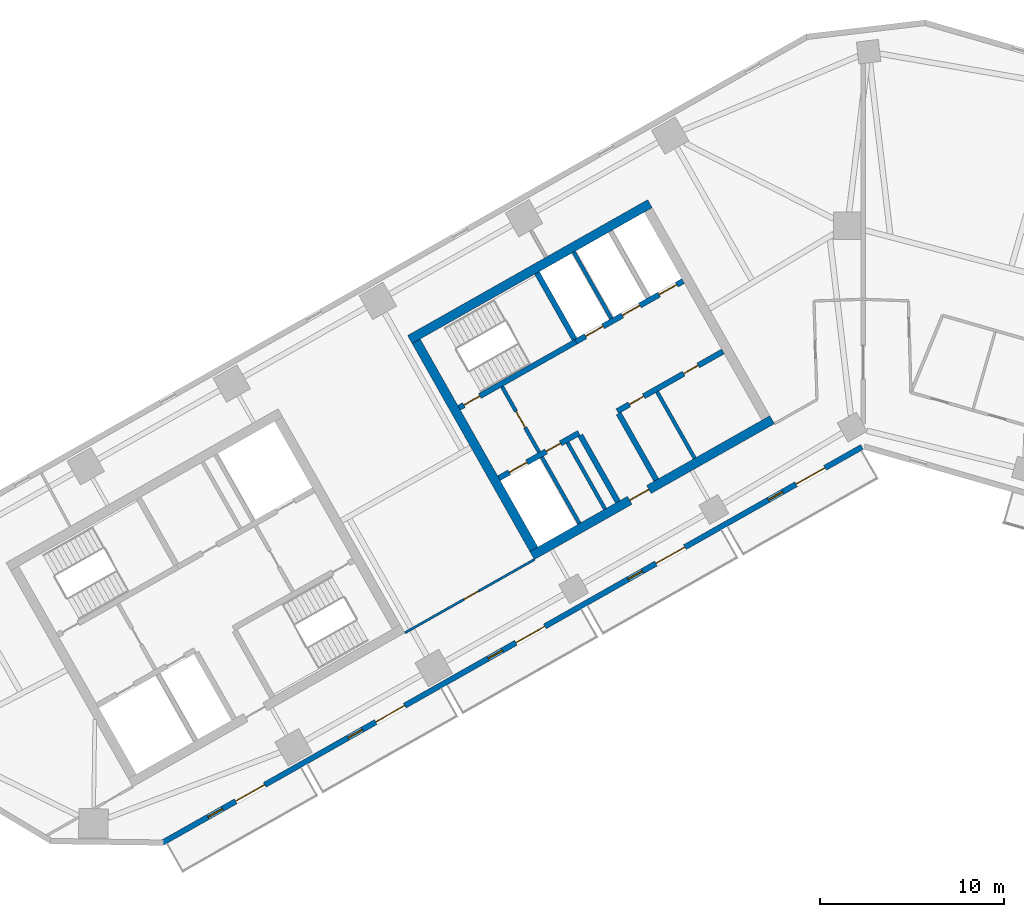
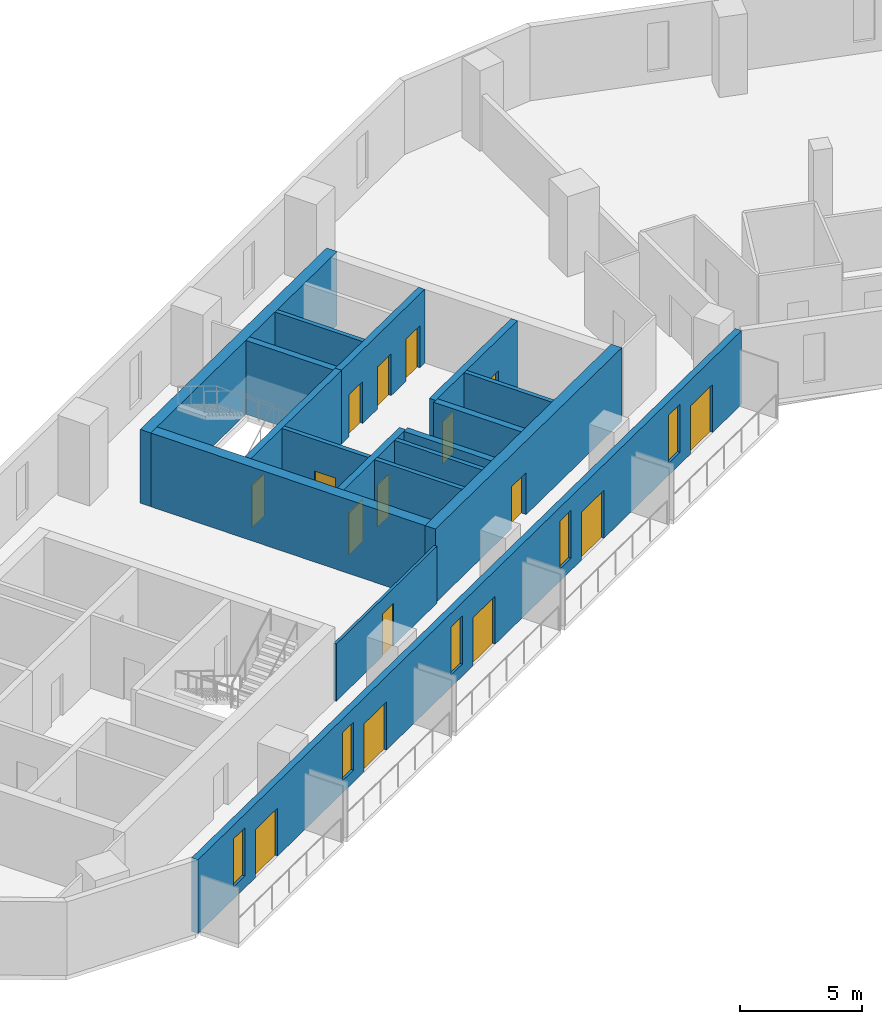
# One storey, part 4 of 9: 17 walls, 16 doors, 5 windows, 21 openings.
"""IFC4 building model written with IfcOpenShell, lengths in metres."""

from ifc_helpers import new_model, si_unit, direction, frame, frame_2d, origin, place, context, subcontext, project, spatial, rectangle, extrude, material, layer, layer_set, type_object, element, fill, save


model = new_model("IFC4")

# Units and contexts
model_context = context("Model", 3, precision=1e-05, world=origin(), true_north=direction((0.0, 1.0)))
body_context = subcontext(model_context, "Body", "Model", "MODEL_VIEW")
ifc_project = project(units=[si_unit("LENGTHUNIT", "METRE"), si_unit("AREAUNIT", "SQUARE_METRE"), si_unit("VOLUMEUNIT", "CUBIC_METRE"), si_unit("PLANEANGLEUNIT", "RADIAN"), si_unit("MASSUNIT", "GRAM", prefix="KILO")], contexts=[model_context])

# Site, building, storey
site_placement = place(None, origin())
site = spatial("IfcSite", under=ifc_project, at=site_placement, CompositionType="ELEMENT")
building_placement = place(site_placement, origin())
building = spatial("IfcBuilding", under=site, at=building_placement, Name="Binnacle Exchange Tower", CompositionType="ELEMENT")
storey_placement = place(building_placement, frame((0.0, 0.0, 166.89990234375)))
storey = spatial("IfcBuildingStorey", under=building, at=storey_placement, Name="L35", CompositionType="ELEMENT", Elevation=166.89990234375)

# Wall
ifc_material_1 = material(Name="Gypsum partition fire rated")
ifc_layer_1 = layer(ifc_material_1, 0.199951171875)
ifc_layer_set_1 = layer_set([ifc_layer_1], Name="Core partition 200")
wall_type_1 = type_object("IfcWallType", Name="Core partition 200", PredefinedType="PARTITIONING", material=ifc_layer_set_1)
wall_1_placement = place(storey_placement, frame((-11.201904296875, 50.96240234375, 0.0), z_axis=(0.0, 0.0, 1.0), x_axis=(0.492441017253, -0.870345818929, 0.0)))
element("IfcWall", 1, at=wall_1_placement, inside=storey, type_object=wall_type_1, Name="Core wall CRWC19", PredefinedType="PARTITIONING", context=body_context, shape_type="SweptSolid", body=[
    extrude(rectangle(XDim=4.150146484375, YDim=0.199951171875, at=frame_2d((2.0751953125, 0.0))), origin(), (0.0, 0.0, 1.0), 3.68017578125),
])

# Wall, openings, doors
ifc_material_2 = material(Name="Concrete C70/85", Category="concrete")
ifc_layer_2 = layer(ifc_material_2, 0.300048828125)
ifc_layer_set_2 = layer_set([ifc_layer_2], Name="Core wall - front 300")
wall_type_2 = type_object("IfcWallType", Name="Core wall - front 300", PredefinedType="SOLIDWALL", material=ifc_layer_set_2)
wall_2_placement = place(storey_placement, frame((-19.80517578125, 46.26708984375, 0.0), z_axis=(0.0, 0.0, 1.0), x_axis=(0.870353598469, 0.492427267353, 0.0)))
wall_2 = element("IfcWall", 2, at=wall_2_placement, inside=storey, type_object=wall_type_2, Name="Core wall CRWC2", PredefinedType="SOLIDWALL", context=body_context, shape_type="SweptSolid", body=[
    extrude(rectangle(XDim=5.0, YDim=0.300048828125, at=frame_2d((2.5, 0.0))), origin(), (0.0, 0.0, 1.0), 3.68017578125),
])
opening_1_placement = place(wall_2_placement, frame((0.64990234375, 0.0, 0.0)))
opening_1 = element("IfcOpeningElement", 3, at=opening_1_placement, cuts=wall_2, Name="Opening LD14", PredefinedType="OPENING", context=body_context, shape_type="SweptSolid", body=[
    extrude(rectangle(XDim=1.10009765625, YDim=2.10009765625, at=frame_2d((0.550048828125, 1.050048828125))), frame((0.0, 0.159912109375, 0.0), z_axis=(0.0, -1.0, 0.0), x_axis=(1.0, 0.0, 0.0)), (0.0, 0.0, 1.0), 0.320068359375),
])
opening_2_placement = place(wall_2_placement, frame((2.949951171875, 0.0, 0.0)))
opening_2 = element("IfcOpeningElement", 4, at=opening_2_placement, cuts=wall_2, Name="Opening DC14", PredefinedType="OPENING", context=body_context, shape_type="SweptSolid", body=[
    extrude(rectangle(XDim=0.89990234375, YDim=2.10009765625, at=frame_2d((0.449951171875, 1.050048828125))), frame((0.0, 0.159912109375, 0.0), z_axis=(0.0, -1.0, 0.0), x_axis=(1.0, 0.0, 0.0)), (0.0, 0.0, 1.0), 0.320068359375),
])
ifc_material_3 = material(Name="Steel door leaf", Category="steel")
door_type_1 = type_object("IfcDoorType", Name="Fire door - lift landing 1100", OperationType="NOTDEFINED", PredefinedType="DOOR", material=ifc_material_3)
door_1_placement = place(opening_1_placement, origin())
door_1 = element("IfcDoor", 5, at=door_1_placement, inside=storey, type_object=door_type_1, Name="Landing door LD14 L35", OperationType="DOUBLE_DOOR_SLIDING", OverallHeight=2.10009765625, OverallWidth=1.10009765625, PredefinedType="DOOR", context=body_context, shape_type="SweptSolid", body=[
    extrude(rectangle(XDim=1.10009765625, YDim=2.10009765625, at=frame_2d((0.550048828125, 1.050048828125))), frame((0.0, 0.02490234375, 0.0), z_axis=(0.0, -1.0, 0.0), x_axis=(1.0, 0.0, 0.0)), (0.0, 0.0, 1.0), 0.050048828125),
])
fill(opening_1, door_1)
door_type_2 = type_object("IfcDoorType", Name="Fire door 900", OperationType="NOTDEFINED", PredefinedType="DOOR", material=ifc_material_3)
door_2_placement = place(opening_2_placement, frame((0.89990234375, 0.0, 0.0), z_axis=(0.0, 0.0, 1.0), x_axis=(-1.0, 0.0, 0.0)))
door_2 = element("IfcDoor", 6, at=door_2_placement, inside=storey, type_object=door_type_2, Name="Core room door CLEANERS STORE", OperationType="SINGLE_SWING_LEFT", OverallHeight=2.10009765625, OverallWidth=0.89990234375, PredefinedType="DOOR", context=body_context, shape_type="SweptSolid", body=[
    extrude(rectangle(XDim=0.89990234375, YDim=2.10009765625, at=frame_2d((0.449951171875, 1.050048828125))), frame((0.0, 0.02490234375, 0.0), z_axis=(0.0, -1.0, 0.0), x_axis=(1.0, 0.0, 0.0)), (0.0, 0.0, 1.0), 0.050048828125),
])
fill(opening_2, door_2)

wall_3_placement = place(storey_placement, frame((-13.364501953125, 49.910888671875, 0.0), z_axis=(0.0, 0.0, 1.0), x_axis=(0.870356769198, 0.492421663121, 0.0)))
wall_3 = element("IfcWall", 7, at=wall_3_placement, inside=storey, type_object=wall_type_2, Name="Core wall CRWC3", PredefinedType="SOLIDWALL", context=body_context, shape_type="SweptSolid", body=[
    extrude(rectangle(XDim=6.60009765625, YDim=0.300048828125, at=frame_2d((3.300048828125, 0.0))), origin(), (0.0, 0.0, 1.0), 3.68017578125),
])
opening_3_placement = place(wall_3_placement, frame((0.75, 0.0, 0.0)))
opening_3 = element("IfcOpeningElement", 8, at=opening_3_placement, cuts=wall_3, Name="Opening DC18", PredefinedType="OPENING", context=body_context, shape_type="SweptSolid", body=[
    extrude(rectangle(XDim=0.89990234375, YDim=2.10009765625, at=frame_2d((0.449951171875, 1.050048828125))), frame((0.0, 0.159912109375, 0.0), z_axis=(0.0, -1.0, 0.0), x_axis=(1.0, 0.0, 0.0)), (0.0, 0.0, 1.0), 0.320068359375),
])
opening_4_placement = place(wall_3_placement, frame((4.14990234375, 0.0, 0.0)))
opening_4 = element("IfcOpeningElement", 9, at=opening_4_placement, cuts=wall_3, Name="Opening DC19", PredefinedType="OPENING", context=body_context, shape_type="SweptSolid", body=[
    extrude(rectangle(XDim=0.89990234375, YDim=2.10009765625, at=frame_2d((0.449951171875, 1.050048828125))), frame((0.0, 0.159912109375, 0.0), z_axis=(0.0, -1.0, 0.0), x_axis=(1.0, 0.0, 0.0)), (0.0, 0.0, 1.0), 0.320068359375),
])
door_3_placement = place(opening_3_placement, frame((0.89990234375, 0.0, 0.0), z_axis=(0.0, 0.0, 1.0), x_axis=(-1.0, 0.0, 0.0)))
door_3 = element("IfcDoor", 10, at=door_3_placement, inside=storey, type_object=door_type_2, Name="Core room door IT STORE", OperationType="SINGLE_SWING_RIGHT", OverallHeight=2.10009765625, OverallWidth=0.89990234375, PredefinedType="DOOR", context=body_context, shape_type="SweptSolid", body=[
    extrude(rectangle(XDim=0.89990234375, YDim=2.10009765625, at=frame_2d((0.449951171875, 1.050048828125))), frame((0.0, 0.02490234375, 0.0), z_axis=(0.0, -1.0, 0.0), x_axis=(1.0, 0.0, 0.0)), (0.0, 0.0, 1.0), 0.050048828125),
])
fill(opening_3, door_3)
door_4_placement = place(opening_4_placement, frame((0.89990234375, 0.0, 0.0), z_axis=(0.0, 0.0, 1.0), x_axis=(-1.0, 0.0, 0.0)))
door_4 = element("IfcDoor", 11, at=door_4_placement, inside=storey, type_object=door_type_2, Name="Core room door TELECOM RISER ROOM", OperationType="SINGLE_SWING_LEFT", OverallHeight=2.10009765625, OverallWidth=0.89990234375, PredefinedType="DOOR", context=body_context, shape_type="SweptSolid", body=[
    extrude(rectangle(XDim=0.89990234375, YDim=2.10009765625, at=frame_2d((0.449951171875, 1.050048828125))), frame((0.0, 0.02490234375, 0.0), z_axis=(0.0, -1.0, 0.0), x_axis=(1.0, 0.0, 0.0)), (0.0, 0.0, 1.0), 0.050048828125),
])
fill(opening_4, door_4)

wall_4_placement = place(storey_placement, frame((-15.6181640625, 53.69140625, 0.0), z_axis=(0.0, 0.0, 1.0), x_axis=(0.870363236066, 0.492410232738, 0.0)))
wall_4 = element("IfcWall", 12, at=wall_4_placement, inside=storey, type_object=wall_type_2, Name="Core wall CRWC5", PredefinedType="SOLIDWALL", context=body_context, shape_type="SweptSolid", body=[
    extrude(rectangle(XDim=6.699951171875, YDim=0.300048828125, at=frame_2d((3.35009765625, 0.0))), origin(), (0.0, 0.0, 1.0), 3.68017578125),
])
opening_5_placement = place(wall_4_placement, frame((0.60009765625, 0.0, 0.0)))
opening_5 = element("IfcOpeningElement", 13, at=opening_5_placement, cuts=wall_4, Name="Opening LD5", PredefinedType="OPENING", context=body_context, shape_type="SweptSolid", body=[
    extrude(rectangle(XDim=1.10009765625, YDim=2.10009765625, at=frame_2d((0.550048828125, 1.050048828125))), frame((0.0, 0.159912109375, 0.0), z_axis=(0.0, -1.0, 0.0), x_axis=(1.0, 0.0, 0.0)), (0.0, 0.0, 1.0), 0.320068359375),
])
opening_6_placement = place(wall_4_placement, frame((2.89990234375, 0.0, 0.0)))
opening_6 = element("IfcOpeningElement", 14, at=opening_6_placement, cuts=wall_4, Name="Opening LD6", PredefinedType="OPENING", context=body_context, shape_type="SweptSolid", body=[
    extrude(rectangle(XDim=1.10009765625, YDim=2.10009765625, at=frame_2d((0.550048828125, 1.050048828125))), frame((0.0, 0.159912109375, 0.0), z_axis=(0.0, -1.0, 0.0), x_axis=(1.0, 0.0, 0.0)), (0.0, 0.0, 1.0), 0.320068359375),
])
opening_7_placement = place(wall_4_placement, frame((5.199951171875, 0.0, 0.0)))
opening_7 = element("IfcOpeningElement", 15, at=opening_7_placement, cuts=wall_4, Name="Opening LD7", PredefinedType="OPENING", context=body_context, shape_type="SweptSolid", body=[
    extrude(rectangle(XDim=1.10009765625, YDim=2.10009765625, at=frame_2d((0.550048828125, 1.050048828125))), frame((0.0, 0.159912109375, 0.0), z_axis=(0.0, -1.0, 0.0), x_axis=(1.0, 0.0, 0.0)), (0.0, 0.0, 1.0), 0.320068359375),
])
door_5_placement = place(opening_5_placement, origin())
door_5 = element("IfcDoor", 16, at=door_5_placement, inside=storey, type_object=door_type_1, Name="Landing door LD5 L35", OperationType="DOUBLE_DOOR_SLIDING", OverallHeight=2.10009765625, OverallWidth=1.10009765625, PredefinedType="DOOR", context=body_context, shape_type="SweptSolid", body=[
    extrude(rectangle(XDim=1.10009765625, YDim=2.10009765625, at=frame_2d((0.550048828125, 1.050048828125))), frame((0.0, 0.02490234375, 0.0), z_axis=(0.0, -1.0, 0.0), x_axis=(1.0, 0.0, 0.0)), (0.0, 0.0, 1.0), 0.050048828125),
])
fill(opening_5, door_5)
door_6_placement = place(opening_6_placement, origin())
door_6 = element("IfcDoor", 17, at=door_6_placement, inside=storey, type_object=door_type_1, Name="Landing door LD6 L35", OperationType="DOUBLE_DOOR_SLIDING", OverallHeight=2.10009765625, OverallWidth=1.10009765625, PredefinedType="DOOR", context=body_context, shape_type="SweptSolid", body=[
    extrude(rectangle(XDim=1.10009765625, YDim=2.10009765625, at=frame_2d((0.550048828125, 1.050048828125))), frame((0.0, 0.02490234375, 0.0), z_axis=(0.0, -1.0, 0.0), x_axis=(1.0, 0.0, 0.0)), (0.0, 0.0, 1.0), 0.050048828125),
])
fill(opening_6, door_6)
door_7_placement = place(opening_7_placement, origin())
door_7 = element("IfcDoor", 18, at=door_7_placement, inside=storey, type_object=door_type_1, Name="Landing door LD7 L35", OperationType="DOUBLE_DOOR_SLIDING", OverallHeight=2.10009765625, OverallWidth=1.10009765625, PredefinedType="DOOR", context=body_context, shape_type="SweptSolid", body=[
    extrude(rectangle(XDim=1.10009765625, YDim=2.10009765625, at=frame_2d((0.550048828125, 1.050048828125))), frame((0.0, 0.02490234375, 0.0), z_axis=(0.0, -1.0, 0.0), x_axis=(1.0, 0.0, 0.0)), (0.0, 0.0, 1.0), 0.050048828125),
])
fill(opening_7, door_7)

# Walls
for number, where, z_axis, x_axis, name in (
    (19, (-15.37939453125, 48.5986328125, 0.0), (0.0, 0.0, 1.0), (0.492396453737, -0.870371031427, 0.0), "Core wall CRWC13"),
    (20, (-13.29052734375, 49.780517578125, 0.0), (0.0, 0.0, 1.0), (0.492396453737, -0.870371031427, 0.0), "Core wall CRWC15"),
):
    element("IfcWall", number, at=place(storey_placement, frame(where, z_axis=z_axis, x_axis=x_axis)), inside=storey, type_object=wall_type_2, Name=name, PredefinedType="SOLIDWALL", context=body_context, shape_type="SweptSolid", body=[
        extrude(rectangle(XDim=4.14990234375, YDim=0.300048828125, at=frame_2d((2.074951171875, 0.0))), origin(), (0.0, 0.0, 1.0), 3.68017578125),
    ])

# Wall, opening, door
ifc_layer_3 = layer(ifc_material_2, 0.5)
ifc_layer_set_3 = layer_set([ifc_layer_3], Name="Core wall - outer 500")
wall_type_3 = type_object("IfcWallType", Name="Core wall - outer 500", PredefinedType="SOLIDWALL", material=ifc_layer_set_3)
wall_5_placement = place(storey_placement, frame((-17.999755859375, 42.060791015625, 0.0), z_axis=(0.0, 0.0, 1.0), x_axis=(0.870356627484, 0.492421913601, 0.0)))
wall_5 = element("IfcWall", 21, at=wall_5_placement, inside=storey, type_object=wall_type_3, Name="Core wall CRWC1", PredefinedType="SOLIDWALL", context=body_context, shape_type="SweptSolid", body=[
    extrude(rectangle(XDim=14.999755859375, YDim=0.5, at=frame_2d((7.5, 0.0))), origin(), (0.0, 0.0, 1.0), 3.68017578125),
])
opening_8_placement = place(wall_5_placement, frame((6.10009765625, 0.0, 0.0)))
opening_8 = element("IfcOpeningElement", 22, at=opening_8_placement, cuts=wall_5, Name="Opening DC7", PredefinedType="OPENING", context=body_context, shape_type="SweptSolid", body=[
    extrude(rectangle(XDim=1.199951171875, YDim=2.10009765625, at=frame_2d((0.60009765625, 1.050048828125))), frame((0.0, 0.260009765625, 0.0), z_axis=(0.0, -1.0, 0.0), x_axis=(1.0, 0.0, 0.0)), (0.0, 0.0, 1.0), 0.52001953125),
])
door_type_3 = type_object("IfcDoorType", Name="Fire door 1200", OperationType="NOTDEFINED", PredefinedType="DOOR", material=ifc_material_3)
door_8_placement = place(opening_8_placement, frame((1.199951171875, 0.0, 0.0), z_axis=(0.0, 0.0, 1.0), x_axis=(-1.0, 0.0, 0.0)))
door_8 = element("IfcDoor", 23, at=door_8_placement, inside=storey, type_object=door_type_3, Name="Lift lobby entrance door core C", OperationType="SINGLE_SWING_RIGHT", OverallHeight=2.10009765625, OverallWidth=1.199951171875, PredefinedType="DOOR", context=body_context, shape_type="SweptSolid", body=[
    extrude(rectangle(XDim=1.199951171875, YDim=2.10009765625, at=frame_2d((0.60009765625, 1.050048828125))), frame((0.0, 0.02490234375, 0.0), z_axis=(0.0, -1.0, 0.0), x_axis=(1.0, 0.0, 0.0)), (0.0, 0.0, 1.0), 0.050048828125),
])
fill(opening_8, door_8)

# Walls
wall_6_placement = place(storey_placement, frame((-24.6474609375, 53.810546875, 0.0), z_axis=(0.0, 0.0, 1.0), x_axis=(0.87034965173, 0.492434243055, 0.0)))
element("IfcWall", 24, at=wall_6_placement, inside=storey, type_object=wall_type_3, Name="Core wall CRWC6", PredefinedType="SOLIDWALL", context=body_context, shape_type="SweptSolid", body=[
    extrude(rectangle(XDim=15.0, YDim=0.5, at=frame_2d((7.5, 0.0))), origin(), (0.0, 0.0, 1.0), 3.68017578125),
])
wall_7_placement = place(storey_placement, frame((-24.306884765625, 53.716064453125, 0.0), z_axis=(0.0, 0.0, 1.0), x_axis=(0.492427267353, -0.870353598469, 0.0)))
element("IfcWall", 25, at=wall_7_placement, inside=storey, type_object=wall_type_3, Name="Core wall CRWC7", PredefinedType="SOLIDWALL", context=body_context, shape_type="SweptSolid", body=[
    extrude(rectangle(XDim=13.0, YDim=0.5, at=frame_2d((6.5, 0.0))), origin(), (0.0, 0.0, 1.0), 3.68017578125),
])

# Wall, opening, door
ifc_layer_4 = layer(ifc_material_2, 0.300048828125)
ifc_layer_set_4 = layer_set([ifc_layer_4], Name="Core wall - stair 300")
wall_type_4 = type_object("IfcWallType", Name="Core wall - stair 300", PredefinedType="SOLIDWALL", material=ifc_layer_set_4)
wall_8_placement = place(storey_placement, frame((-21.9716796875, 50.0966796875, 0.0), z_axis=(0.0, 0.0, 1.0), x_axis=(0.870350976978, 0.492431900747, 0.0)))
wall_8 = element("IfcWall", 26, at=wall_8_placement, inside=storey, type_object=wall_type_4, Name="Core wall CRWC4", PredefinedType="SOLIDWALL", context=body_context, shape_type="SweptSolid", body=[
    extrude(rectangle(XDim=7.300048828125, YDim=0.300048828125, at=frame_2d((3.64990234375, 0.0))), origin(), (0.0, 0.0, 1.0), 3.68017578125),
])
opening_9_placement = place(wall_8_placement, frame((0.300048828125, 0.0, 0.0)))
opening_9 = element("IfcOpeningElement", 27, at=opening_9_placement, cuts=wall_8, Name="Opening DC1", PredefinedType="OPENING", context=body_context, shape_type="SweptSolid", body=[
    extrude(rectangle(XDim=1.0, YDim=2.10009765625, at=frame_2d((0.5, 1.050048828125))), frame((0.0, 0.159912109375, 0.0), z_axis=(0.0, -1.0, 0.0), x_axis=(1.0, 0.0, 0.0)), (0.0, 0.0, 1.0), 0.320068359375),
])
door_type_4 = type_object("IfcDoorType", Name="Fire door 1000", OperationType="NOTDEFINED", PredefinedType="DOOR", material=ifc_material_3)
door_9_placement = place(opening_9_placement, origin())
door_9 = element("IfcDoor", 28, at=door_9_placement, inside=storey, type_object=door_type_4, Name="Stair door ST-C1", OperationType="SINGLE_SWING_LEFT", OverallHeight=2.10009765625, OverallWidth=1.0, PredefinedType="DOOR", context=body_context, shape_type="SweptSolid", body=[
    extrude(rectangle(XDim=1.0, YDim=2.10009765625, at=frame_2d((0.5, 1.050048828125))), frame((0.0, 0.02490234375, 0.0), z_axis=(0.0, -1.0, 0.0), x_axis=(1.0, 0.0, 0.0)), (0.0, 0.0, 1.0), 0.050048828125),
])
fill(opening_9, door_9)

# Wall
wall_9_placement = place(storey_placement, frame((-17.735595703125, 57.433837890625, 0.0), z_axis=(0.0, 0.0, 1.0), x_axis=(0.492421666909, -0.870356767055, 0.0)))
element("IfcWall", 29, at=wall_9_placement, inside=storey, type_object=wall_type_4, Name="Core wall CRWC14", PredefinedType="SOLIDWALL", context=body_context, shape_type="SweptSolid", body=[
    extrude(rectangle(XDim=4.14990234375, YDim=0.300048828125, at=frame_2d((2.074951171875, 0.0))), origin(), (0.0, 0.0, 1.0), 3.68017578125),
])

# Wall, openings, doors, windows
ifc_material_4 = material(Name="Bronze aluminium cladding", Category="aluminium")
ifc_layer_5 = layer(ifc_material_4, 0.300048828125)
ifc_layer_set_5 = layer_set([ifc_layer_5], Name="External wall - spandrel 300")
wall_type_5 = type_object("IfcWallType", Name="External wall - spandrel 300", PredefinedType="STANDARD", material=ifc_layer_set_5)
wall_10_placement = place(storey_placement, frame((-0.0546875, 47.968994140625, 0.0), z_axis=(0.0, 0.0, 1.0), x_axis=(-0.870355730478, -0.492423499058, 0.0)))
wall_10 = element("IfcWall", 30, at=wall_10_placement, inside=storey, type_object=wall_type_5, Name="External wall EW-G01 L35", PredefinedType="STANDARD", context=body_context, shape_type="SweptSolid", body=[
    extrude(rectangle(XDim=43.750244140625, YDim=0.300048828125, at=frame_2d((21.875, 0.0))), origin(), (0.0, 0.0, 1.0), 3.68017578125),
])
opening_10_placement = place(wall_10_placement, frame((39.976806640625, 0.0, 0.60009765625)))
opening_10 = element("IfcOpeningElement", 31, at=opening_10_placement, cuts=wall_10, Name="Opening WS3", PredefinedType="OPENING", context=body_context, shape_type="SweptSolid", body=[
    extrude(rectangle(XDim=0.89990234375, YDim=2.39990234375, at=frame_2d((0.449951171875, 1.199951171875))), frame((0.0, 0.159912109375, 0.0), z_axis=(0.0, -1.0, 0.0), x_axis=(1.0, 0.0, 0.0)), (0.0, 0.0, 1.0), 0.320068359375),
])
opening_11_placement = place(wall_10_placement, frame((37.338134765625, 0.0, 0.0)))
opening_11 = element("IfcOpeningElement", 32, at=opening_11_placement, cuts=wall_10, Name="Opening D-FS11-01", PredefinedType="OPENING", context=body_context, shape_type="SweptSolid", body=[
    extrude(rectangle(XDim=1.800048828125, YDim=2.39990234375, at=frame_2d((0.89990234375, 1.199951171875))), frame((0.0, 0.159912109375, 0.0), z_axis=(0.0, -1.0, 0.0), x_axis=(1.0, 0.0, 0.0)), (0.0, 0.0, 1.0), 0.320068359375),
])
opening_12_placement = place(wall_10_placement, frame((31.222412109375, 0.0, 0.60009765625)))
opening_12 = element("IfcOpeningElement", 33, at=opening_12_placement, cuts=wall_10, Name="Opening WS3", PredefinedType="OPENING", context=body_context, shape_type="SweptSolid", body=[
    extrude(rectangle(XDim=0.89990234375, YDim=2.39990234375, at=frame_2d((0.449951171875, 1.199951171875))), frame((0.0, 0.159912109375, 0.0), z_axis=(0.0, -1.0, 0.0), x_axis=(1.0, 0.0, 0.0)), (0.0, 0.0, 1.0), 0.320068359375),
])
opening_13_placement = place(wall_10_placement, frame((28.583740234375, 0.0, 0.0)))
opening_13 = element("IfcOpeningElement", 34, at=opening_13_placement, cuts=wall_10, Name="Opening D-FS11-02", PredefinedType="OPENING", context=body_context, shape_type="SweptSolid", body=[
    extrude(rectangle(XDim=1.800048828125, YDim=2.39990234375, at=frame_2d((0.89990234375, 1.199951171875))), frame((0.0, 0.159912109375, 0.0), z_axis=(0.0, -1.0, 0.0), x_axis=(1.0, 0.0, 0.0)), (0.0, 0.0, 1.0), 0.320068359375),
])
opening_14_placement = place(wall_10_placement, frame((22.4677734375, 0.0, 0.60009765625)))
opening_14 = element("IfcOpeningElement", 35, at=opening_14_placement, cuts=wall_10, Name="Opening WS3", PredefinedType="OPENING", context=body_context, shape_type="SweptSolid", body=[
    extrude(rectangle(XDim=0.89990234375, YDim=2.39990234375, at=frame_2d((0.449951171875, 1.199951171875))), frame((0.0, 0.159912109375, 0.0), z_axis=(0.0, -1.0, 0.0), x_axis=(1.0, 0.0, 0.0)), (0.0, 0.0, 1.0), 0.320068359375),
])
opening_15_placement = place(wall_10_placement, frame((19.8291015625, 0.0, 0.0)))
opening_15 = element("IfcOpeningElement", 36, at=opening_15_placement, cuts=wall_10, Name="Opening D-FS11-03", PredefinedType="OPENING", context=body_context, shape_type="SweptSolid", body=[
    extrude(rectangle(XDim=1.800048828125, YDim=2.39990234375, at=frame_2d((0.89990234375, 1.199951171875))), frame((0.0, 0.159912109375, 0.0), z_axis=(0.0, -1.0, 0.0), x_axis=(1.0, 0.0, 0.0)), (0.0, 0.0, 1.0), 0.320068359375),
])
opening_16_placement = place(wall_10_placement, frame((13.713134765625, 0.0, 0.60009765625)))
opening_16 = element("IfcOpeningElement", 37, at=opening_16_placement, cuts=wall_10, Name="Opening WS3", PredefinedType="OPENING", context=body_context, shape_type="SweptSolid", body=[
    extrude(rectangle(XDim=0.89990234375, YDim=2.39990234375, at=frame_2d((0.449951171875, 1.199951171875))), frame((0.0, 0.159912109375, 0.0), z_axis=(0.0, -1.0, 0.0), x_axis=(1.0, 0.0, 0.0)), (0.0, 0.0, 1.0), 0.320068359375),
])
opening_17_placement = place(wall_10_placement, frame((11.07470703125, 0.0, 0.0)))
opening_17 = element("IfcOpeningElement", 38, at=opening_17_placement, cuts=wall_10, Name="Opening D-FS11-04", PredefinedType="OPENING", context=body_context, shape_type="SweptSolid", body=[
    extrude(rectangle(XDim=1.800048828125, YDim=2.39990234375, at=frame_2d((0.89990234375, 1.199951171875))), frame((0.0, 0.159912109375, 0.0), z_axis=(0.0, -1.0, 0.0), x_axis=(1.0, 0.0, 0.0)), (0.0, 0.0, 1.0), 0.320068359375),
])
opening_18_placement = place(wall_10_placement, frame((4.958740234375, 0.0, 0.60009765625)))
opening_18 = element("IfcOpeningElement", 39, at=opening_18_placement, cuts=wall_10, Name="Opening WS3", PredefinedType="OPENING", context=body_context, shape_type="SweptSolid", body=[
    extrude(rectangle(XDim=0.89990234375, YDim=2.39990234375, at=frame_2d((0.449951171875, 1.199951171875))), frame((0.0, 0.159912109375, 0.0), z_axis=(0.0, -1.0, 0.0), x_axis=(1.0, 0.0, 0.0)), (0.0, 0.0, 1.0), 0.320068359375),
])
opening_19_placement = place(wall_10_placement, frame((2.320068359375, 0.0, 0.0)))
opening_19 = element("IfcOpeningElement", 40, at=opening_19_placement, cuts=wall_10, Name="Opening D-FS11-05", PredefinedType="OPENING", context=body_context, shape_type="SweptSolid", body=[
    extrude(rectangle(XDim=1.800048828125, YDim=2.39990234375, at=frame_2d((0.89990234375, 1.199951171875))), frame((0.0, 0.159912109375, 0.0), z_axis=(0.0, -1.0, 0.0), x_axis=(1.0, 0.0, 0.0)), (0.0, 0.0, 1.0), 0.320068359375),
])
ifc_material_5 = material(Name="Bronze anodised aluminium frame", Category="aluminium")
door_type_5 = type_object("IfcDoorType", Name="DB DOOR 1800x2400", OperationType="DOUBLE_DOOR_SINGLE_SWING", PredefinedType="DOOR", material=ifc_material_5)
door_10_placement = place(opening_11_placement, origin())
door_10 = element("IfcDoor", 41, at=door_10_placement, inside=storey, type_object=door_type_5, Name="Door D-FS11-01 L35", OperationType="DOUBLE_DOOR_SINGLE_SWING", OverallHeight=2.39990234375, OverallWidth=1.800048828125, PredefinedType="DOOR", context=body_context, shape_type="SweptSolid", body=[
    extrude(rectangle(XDim=1.800048828125, YDim=2.39990234375, at=frame_2d((0.89990234375, 1.199951171875))), frame((0.0, 0.02490234375, 0.0), z_axis=(0.0, -1.0, 0.0), x_axis=(1.0, 0.0, 0.0)), (0.0, 0.0, 1.0), 0.050048828125),
])
fill(opening_11, door_10)
door_11_placement = place(opening_13_placement, origin())
door_11 = element("IfcDoor", 42, at=door_11_placement, inside=storey, type_object=door_type_5, Name="Door D-FS11-02 L35", OperationType="DOUBLE_DOOR_SINGLE_SWING", OverallHeight=2.39990234375, OverallWidth=1.800048828125, PredefinedType="DOOR", context=body_context, shape_type="SweptSolid", body=[
    extrude(rectangle(XDim=1.800048828125, YDim=2.39990234375, at=frame_2d((0.89990234375, 1.199951171875))), frame((0.0, 0.02490234375, 0.0), z_axis=(0.0, -1.0, 0.0), x_axis=(1.0, 0.0, 0.0)), (0.0, 0.0, 1.0), 0.050048828125),
])
fill(opening_13, door_11)
door_12_placement = place(opening_15_placement, origin())
door_12 = element("IfcDoor", 43, at=door_12_placement, inside=storey, type_object=door_type_5, Name="Door D-FS11-03 L35", OperationType="DOUBLE_DOOR_SINGLE_SWING", OverallHeight=2.39990234375, OverallWidth=1.800048828125, PredefinedType="DOOR", context=body_context, shape_type="SweptSolid", body=[
    extrude(rectangle(XDim=1.800048828125, YDim=2.39990234375, at=frame_2d((0.89990234375, 1.199951171875))), frame((0.0, 0.02490234375, 0.0), z_axis=(0.0, -1.0, 0.0), x_axis=(1.0, 0.0, 0.0)), (0.0, 0.0, 1.0), 0.050048828125),
])
fill(opening_15, door_12)
door_13_placement = place(opening_17_placement, origin())
door_13 = element("IfcDoor", 44, at=door_13_placement, inside=storey, type_object=door_type_5, Name="Door D-FS11-04 L35", OperationType="DOUBLE_DOOR_SINGLE_SWING", OverallHeight=2.39990234375, OverallWidth=1.800048828125, PredefinedType="DOOR", context=body_context, shape_type="SweptSolid", body=[
    extrude(rectangle(XDim=1.800048828125, YDim=2.39990234375, at=frame_2d((0.89990234375, 1.199951171875))), frame((0.0, 0.02490234375, 0.0), z_axis=(0.0, -1.0, 0.0), x_axis=(1.0, 0.0, 0.0)), (0.0, 0.0, 1.0), 0.050048828125),
])
fill(opening_17, door_13)
door_14_placement = place(opening_19_placement, origin())
door_14 = element("IfcDoor", 45, at=door_14_placement, inside=storey, type_object=door_type_5, Name="Door D-FS11-05 L35", OperationType="DOUBLE_DOOR_SINGLE_SWING", OverallHeight=2.39990234375, OverallWidth=1.800048828125, PredefinedType="DOOR", context=body_context, shape_type="SweptSolid", body=[
    extrude(rectangle(XDim=1.800048828125, YDim=2.39990234375, at=frame_2d((0.89990234375, 1.199951171875))), frame((0.0, 0.02490234375, 0.0), z_axis=(0.0, -1.0, 0.0), x_axis=(1.0, 0.0, 0.0)), (0.0, 0.0, 1.0), 0.050048828125),
])
fill(opening_19, door_14)
window_type = type_object("IfcWindowType", Name="WS3 WINDOW 900x2400", PartitioningType="SINGLE_PANEL", PredefinedType="WINDOW", material=ifc_material_5)
window_1_placement = place(opening_10_placement, origin())
window_1 = element("IfcWindow", 46, at=window_1_placement, inside=storey, type_object=window_type, Name="Window WS3 L35", OverallHeight=2.39990234375, OverallWidth=0.89990234375, PartitioningType="SINGLE_PANEL", PredefinedType="WINDOW", context=body_context, shape_type="SweptSolid", body=[
    extrude(rectangle(XDim=0.89990234375, YDim=2.39990234375, at=frame_2d((0.449951171875, 1.199951171875))), frame((0.0, 0.030029296875, 0.0), z_axis=(0.0, -1.0, 0.0), x_axis=(1.0, 0.0, 0.0)), (0.0, 0.0, 1.0), 0.06005859375),
])
fill(opening_10, window_1)
window_2_placement = place(opening_12_placement, origin())
window_2 = element("IfcWindow", 47, at=window_2_placement, inside=storey, type_object=window_type, Name="Window WS3 L35", OverallHeight=2.39990234375, OverallWidth=0.89990234375, PartitioningType="SINGLE_PANEL", PredefinedType="WINDOW", context=body_context, shape_type="SweptSolid", body=[
    extrude(rectangle(XDim=0.89990234375, YDim=2.39990234375, at=frame_2d((0.449951171875, 1.199951171875))), frame((0.0, 0.030029296875, 0.0), z_axis=(0.0, -1.0, 0.0), x_axis=(1.0, 0.0, 0.0)), (0.0, 0.0, 1.0), 0.06005859375),
])
fill(opening_12, window_2)
window_3_placement = place(opening_14_placement, origin())
window_3 = element("IfcWindow", 48, at=window_3_placement, inside=storey, type_object=window_type, Name="Window WS3 L35", OverallHeight=2.39990234375, OverallWidth=0.89990234375, PartitioningType="SINGLE_PANEL", PredefinedType="WINDOW", context=body_context, shape_type="SweptSolid", body=[
    extrude(rectangle(XDim=0.89990234375, YDim=2.39990234375, at=frame_2d((0.449951171875, 1.199951171875))), frame((0.0, 0.030029296875, 0.0), z_axis=(0.0, -1.0, 0.0), x_axis=(1.0, 0.0, 0.0)), (0.0, 0.0, 1.0), 0.06005859375),
])
fill(opening_14, window_3)
window_4_placement = place(opening_16_placement, origin())
window_4 = element("IfcWindow", 49, at=window_4_placement, inside=storey, type_object=window_type, Name="Window WS3 L35", OverallHeight=2.39990234375, OverallWidth=0.89990234375, PartitioningType="SINGLE_PANEL", PredefinedType="WINDOW", context=body_context, shape_type="SweptSolid", body=[
    extrude(rectangle(XDim=0.89990234375, YDim=2.39990234375, at=frame_2d((0.449951171875, 1.199951171875))), frame((0.0, 0.030029296875, 0.0), z_axis=(0.0, -1.0, 0.0), x_axis=(1.0, 0.0, 0.0)), (0.0, 0.0, 1.0), 0.06005859375),
])
fill(opening_16, window_4)
window_5_placement = place(opening_18_placement, origin())
window_5 = element("IfcWindow", 50, at=window_5_placement, inside=storey, type_object=window_type, Name="Window WS3 L35", OverallHeight=2.39990234375, OverallWidth=0.89990234375, PartitioningType="SINGLE_PANEL", PredefinedType="WINDOW", context=body_context, shape_type="SweptSolid", body=[
    extrude(rectangle(XDim=0.89990234375, YDim=2.39990234375, at=frame_2d((0.449951171875, 1.199951171875))), frame((0.0, 0.030029296875, 0.0), z_axis=(0.0, -1.0, 0.0), x_axis=(1.0, 0.0, 0.0)), (0.0, 0.0, 1.0), 0.06005859375),
])
fill(opening_18, window_5)

# Wall, opening, door
ifc_material_6 = material(Name="Masonry block wall", Category="masonry")
ifc_layer_6 = layer(ifc_material_6, 0.199951171875)
ifc_layer_set_6 = layer_set([ifc_layer_6], Name="Fire wall - vestibule 200")
wall_type_6 = type_object("IfcWallType", Name="Fire wall - vestibule 200", PredefinedType="PARTITIONING", material=ifc_layer_set_6)
wall_11_placement = place(storey_placement, frame((-19.635009765625, 51.246337890625, 0.0), z_axis=(0.0, 0.0, 1.0), x_axis=(0.492408451753, -0.87036424366, 0.0)))
wall_11 = element("IfcWall", 51, at=wall_11_placement, inside=storey, type_object=wall_type_6, Name="Core wall CRWC10", PredefinedType="PARTITIONING", context=body_context, shape_type="SweptSolid", body=[
    extrude(rectangle(XDim=4.099853515625, YDim=0.199951171875, at=frame_2d((2.0498046875, 0.0))), origin(), (0.0, 0.0, 1.0), 3.68017578125),
])
opening_20_placement = place(wall_11_placement, frame((1.550048828125, 0.0, 0.0)))
opening_20 = element("IfcOpeningElement", 52, at=opening_20_placement, cuts=wall_11, Name="Opening DC3", PredefinedType="OPENING", context=body_context, shape_type="SweptSolid", body=[
    extrude(rectangle(XDim=1.0, YDim=2.10009765625, at=frame_2d((0.5, 1.050048828125))), frame((0.0, 0.10986328125, 0.0), z_axis=(0.0, -1.0, 0.0), x_axis=(1.0, 0.0, 0.0)), (0.0, 0.0, 1.0), 0.219970703125),
])
door_15_placement = place(opening_20_placement, frame((1.0, 0.0, 0.0), z_axis=(0.0, 0.0, 1.0), x_axis=(-1.0, 0.0, 0.0)))
door_15 = element("IfcDoor", 53, at=door_15_placement, inside=storey, type_object=door_type_4, Name="Vestibule door VEST-W", OperationType="SINGLE_SWING_RIGHT", OverallHeight=2.10009765625, OverallWidth=1.0, PredefinedType="DOOR", context=body_context, shape_type="SweptSolid", body=[
    extrude(rectangle(XDim=1.0, YDim=2.10009765625, at=frame_2d((0.5, 1.050048828125))), frame((0.0, 0.02490234375, 0.0), z_axis=(0.0, -1.0, 0.0), x_axis=(1.0, 0.0, 0.0)), (0.0, 0.0, 1.0), 0.050048828125),
])
fill(opening_20, door_15)

ifc_material_7 = material(Name="Gypsum partition")
ifc_layer_7 = layer(ifc_material_7, 0.125)
ifc_layer_set_7 = layer_set([ifc_layer_7], Name="Partition 125")
wall_type_7 = type_object("IfcWallType", Name="Partition 125", PredefinedType="PARTITIONING", material=ifc_layer_set_7)
wall_12_placement = place(storey_placement, frame((-24.9189453125, 37.85888671875, 0.0), z_axis=(0.0, 0.0, 1.0), x_axis=(0.870357635969, 0.492420131098, 0.0)))
wall_12 = element("IfcWall", 54, at=wall_12_placement, inside=storey, type_object=wall_type_7, Name="Partition W04", PredefinedType="PARTITIONING", context=body_context, shape_type="SweptSolid", body=[
    extrude(rectangle(XDim=8.0908203125, YDim=0.125, at=frame_2d((4.04541015625, 0.0))), origin(), (0.0, 0.0, 1.0), 2.85205078125),
])
opening_21_placement = place(wall_12_placement, frame((3.699951171875, 0.0, 0.0)))
opening_21 = element("IfcOpeningElement", 55, at=opening_21_placement, cuts=wall_12, Name="Opening DL35-02", PredefinedType="OPENING", context=body_context, shape_type="SweptSolid", body=[
    extrude(rectangle(XDim=0.89990234375, YDim=2.10009765625, at=frame_2d((0.449951171875, 1.050048828125))), frame((0.0, 0.072509765625, 0.0), z_axis=(0.0, -1.0, 0.0), x_axis=(1.0, 0.0, 0.0)), (0.0, 0.0, 1.0), 0.14501953125),
])
ifc_material_8 = material(Name="Timber door leaf", Category="wood")
door_type_6 = type_object("IfcDoorType", Name="Door 900", OperationType="NOTDEFINED", PredefinedType="DOOR", material=ifc_material_8)
door_16_placement = place(opening_21_placement, origin())
door_16 = element("IfcDoor", 56, at=door_16_placement, inside=storey, type_object=door_type_6, Name="Door DL35-02", OperationType="SINGLE_SWING_RIGHT", OverallHeight=2.10009765625, OverallWidth=0.89990234375, PredefinedType="DOOR", context=body_context, shape_type="SweptSolid", body=[
    extrude(rectangle(XDim=0.89990234375, YDim=2.10009765625, at=frame_2d((0.449951171875, 1.050048828125))), frame((0.0, 0.02490234375, 0.0), z_axis=(0.0, -1.0, 0.0), x_axis=(1.0, 0.0, 0.0)), (0.0, 0.0, 1.0), 0.050048828125),
])
fill(opening_21, door_16)

# Walls
ifc_layer_8 = layer(ifc_material_6, 0.199951171875)
ifc_layer_set_8 = layer_set([ifc_layer_8], Name="Riser wall 200")
wall_type_8 = type_object("IfcWallType", Name="Riser wall 200", PredefinedType="SOLIDWALL", material=ifc_layer_set_8)
wall_13_placement = place(storey_placement, frame((-16.07568359375, 48.20458984375, 0.0), z_axis=(0.0, 0.0, 1.0), x_axis=(0.492421666909, -0.870356767055, 0.0)))
element("IfcWall", 57, at=wall_13_placement, inside=storey, type_object=wall_type_8, Name="Core wall CRWC12", PredefinedType="SOLIDWALL", context=body_context, shape_type="SweptSolid", body=[
    extrude(rectangle(XDim=4.14990234375, YDim=0.199951171875, at=frame_2d((2.074951171875, 0.0))), origin(), (0.0, 0.0, 1.0), 3.68017578125),
])
ifc_layer_9 = layer(ifc_material_6, 0.199951171875)
ifc_layer_set_9 = layer_set([ifc_layer_9], Name="Shaft wall 200")
wall_type_9 = type_object("IfcWallType", Name="Shaft wall 200", PredefinedType="SOLIDWALL", material=ifc_layer_set_9)
for number, where, z_axis, x_axis, name in (
    (58, (-17.468505859375, 47.416748046875, 0.0), (0.0, 0.0, 1.0), (0.492441017253, -0.870345818929, 0.0), "Core wall CRWC9"),
    (59, (-15.73388671875, 58.56640625, 0.0), (0.0, 0.0, 1.0), (0.492441017253, -0.870345818929, 0.0), "Core wall CRWC18"),
):
    element("IfcWall", number, at=place(storey_placement, frame(where, z_axis=z_axis, x_axis=x_axis)), inside=storey, type_object=wall_type_9, Name=name, PredefinedType="SOLIDWALL", context=body_context, shape_type="SweptSolid", body=[
        extrude(rectangle(XDim=4.150146484375, YDim=0.199951171875, at=frame_2d((2.0751953125, 0.0))), origin(), (0.0, 0.0, 1.0), 3.68017578125),
    ])

save(model, "model.ifc")
